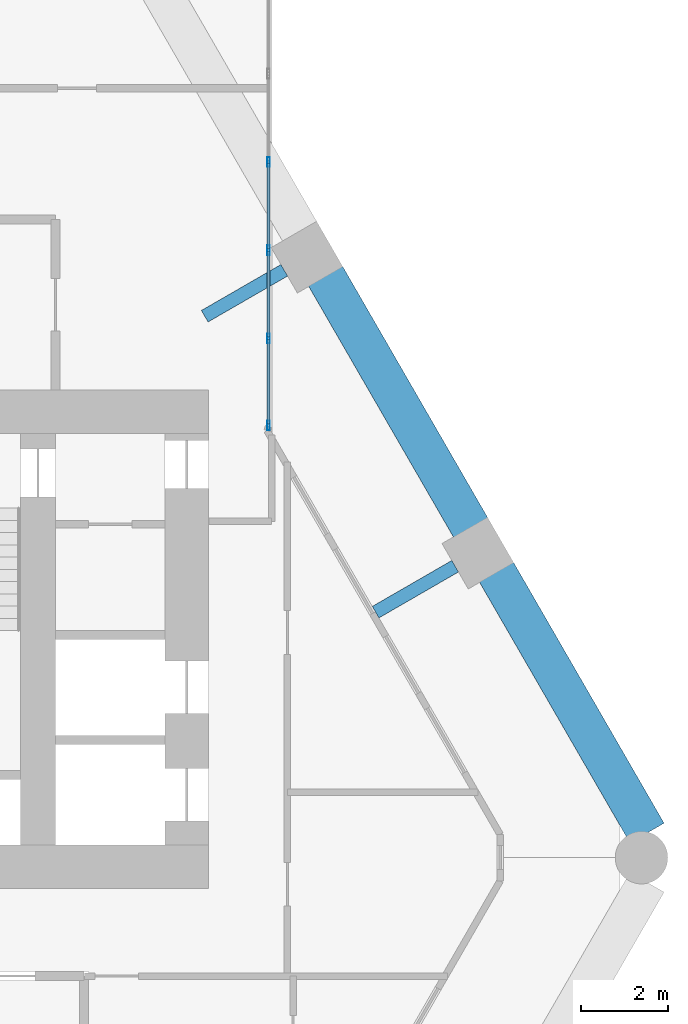
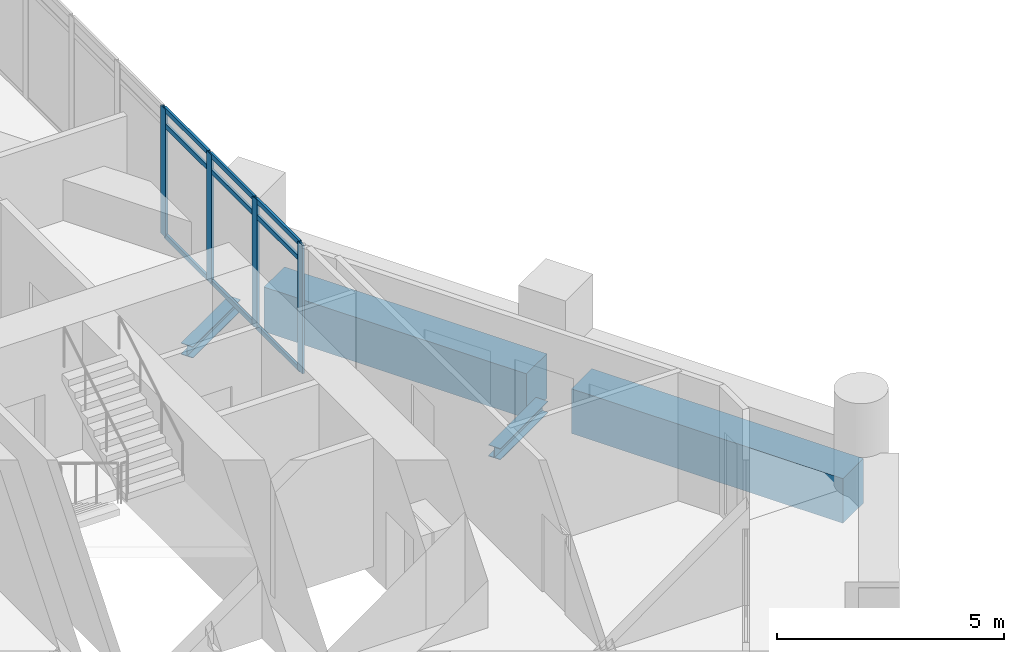
# One storey, part 18 of 28: 13 members, 4 beams, 1 element without a shape of its own.
"""IFC4 building model written with IfcOpenShell, lengths in metres."""

from ifc_helpers import new_model, si_unit, direction, frame, origin, origin_2d, place, context, subcontext, project, spatial, rectangle, hollow_rectangle, i_section, extrude, material, material_profile, profile_set, type_object, element, aggregate, save


model = new_model("IFC4")

# Units and contexts
model_context = context("Model", 3, precision=1e-05, world=origin(), true_north=direction((0.0, 1.0)))
body_context = subcontext(model_context, "Body", "Model", "MODEL_VIEW")
ifc_project = project(units=[si_unit("LENGTHUNIT", "METRE"), si_unit("AREAUNIT", "SQUARE_METRE"), si_unit("VOLUMEUNIT", "CUBIC_METRE"), si_unit("PLANEANGLEUNIT", "RADIAN"), si_unit("MASSUNIT", "GRAM", prefix="KILO")], contexts=[model_context])

# Site, building, storey
site_placement = place(None, origin())
site = spatial("IfcSite", under=ifc_project, at=site_placement, CompositionType="ELEMENT")
building_placement = place(site_placement, origin())
building = spatial("IfcBuilding", under=site, at=building_placement, Name="Ostrander Bayou Hotel Tower", CompositionType="ELEMENT")
storey_placement = place(building_placement, frame((0.0, 0.0, 134.75)))
storey = spatial("IfcBuildingStorey", under=building, at=storey_placement, Name="L33", CompositionType="ELEMENT", Elevation=134.75)

# Curtain wall, members
ifc_material_1 = material(Name="Aluminium and clear glass", Category="aluminium")
curtain_wall_type = type_object("IfcCurtainWallType", Name="CW-BAR glazed wall", PredefinedType="NOTDEFINED", material=ifc_material_1)
curtain_wall_placement = place(storey_placement, origin())
curtain_wall = element("IfcCurtainWall", 1, at=curtain_wall_placement, inside=storey, type_object=curtain_wall_type, Name="CW-BAR L33:SB3N:W", PredefinedType="NOTDEFINED")
ifc_material_2 = material(Name="Aluminium", Category="aluminium")
ifc_material_profile_1 = material_profile(ifc_material_2, hollow_rectangle(XDim=0.06005859375, YDim=0.219970703125, WallThickness=0.00390625, at=origin_2d()))
ifc_profile_set_1 = profile_set([ifc_material_profile_1], Name="Aluminium")
member_type_1 = type_object("IfcMemberType", Name="CW-BR mullion 60 x 220 mm", PredefinedType="MULLION", material=ifc_profile_set_1)
member_1_placement = place(storey_placement, frame((13.3671875, 8.8916015625, 0.0), z_axis=(0.0, 0.0, 1.0), x_axis=(-1.0, 0.0, 0.0)))
member_1 = element("IfcMember", 2, at=member_1_placement, type_object=member_type_1, Name="CW-BAR mullion 1", PredefinedType="MULLION", context=body_context, shape_type="SweptSolid", body=[
    extrude(hollow_rectangle(XDim=0.06005859375, YDim=0.219970703125, WallThickness=0.00390625, at=origin_2d()), origin(), (0.0, 0.0, 1.0), 3.449951171875),
])
member_2_placement = place(storey_placement, frame((13.3671875, 10.879150390625, 0.0), z_axis=(0.0, 0.0, 1.0), x_axis=(-1.0, 0.0, 0.0)))
member_2 = element("IfcMember", 3, at=member_2_placement, type_object=member_type_1, Name="CW-BAR mullion 2", PredefinedType="MULLION", context=body_context, shape_type="SweptSolid", body=[
    extrude(hollow_rectangle(XDim=0.06005859375, YDim=0.219970703125, WallThickness=0.00390625, at=origin_2d()), origin(), (0.0, 0.0, 1.0), 3.449951171875),
])
member_3_placement = place(storey_placement, frame((13.3671875, 12.896728515625, 0.0), z_axis=(0.0, 0.0, 1.0), x_axis=(-1.0, 0.0, 0.0)))
member_3 = element("IfcMember", 4, at=member_3_placement, type_object=member_type_1, Name="CW-BAR mullion 3", PredefinedType="MULLION", context=body_context, shape_type="SweptSolid", body=[
    extrude(hollow_rectangle(XDim=0.06005859375, YDim=0.219970703125, WallThickness=0.00390625, at=origin_2d()), origin(), (0.0, 0.0, 1.0), 3.449951171875),
])
member_4_placement = place(storey_placement, frame((13.3671875, 14.914306640625, 0.0), z_axis=(0.0, 0.0, 1.0), x_axis=(-1.0, 0.0, 0.0)))
member_4 = element("IfcMember", 5, at=member_4_placement, type_object=member_type_1, Name="CW-BAR mullion 4", PredefinedType="MULLION", context=body_context, shape_type="SweptSolid", body=[
    extrude(hollow_rectangle(XDim=0.06005859375, YDim=0.219970703125, WallThickness=0.00390625, at=origin_2d()), origin(), (0.0, 0.0, 1.0), 3.449951171875),
])
ifc_material_3 = material(Name="Aluminium", Category="aluminium")
ifc_material_profile_2 = material_profile(ifc_material_3, hollow_rectangle(XDim=0.06005859375, YDim=0.1298828125, WallThickness=0.00390625, at=origin_2d()))
ifc_profile_set_2 = profile_set([ifc_material_profile_2], Name="Aluminium")
member_type_2 = type_object("IfcMemberType", Name="CW-BR transom 60 x 130 mm", PredefinedType="USERDEFINED", material=ifc_profile_set_2)
member_5_placement = place(storey_placement, frame((13.3671875, 8.921630859375, 0.030029296875), z_axis=(0.0, 1.0, 0.0), x_axis=(-1.0, 0.0, 0.0)))
member_5 = element("IfcMember", 6, at=member_5_placement, type_object=member_type_2, Name="CW-BAR transom 1.1", ObjectType="TRANSOM", PredefinedType="USERDEFINED", context=body_context, shape_type="SweptSolid", body=[
    extrude(hollow_rectangle(XDim=0.06005859375, YDim=0.1298828125, WallThickness=0.00390625, at=origin_2d()), origin(), (0.0, 0.0, 1.0), 1.927490234375),
])
member_6_placement = place(storey_placement, frame((13.3671875, 8.921630859375, 3.0), z_axis=(0.0, 1.0, 0.0), x_axis=(-1.0, 0.0, 0.0)))
member_6 = element("IfcMember", 7, at=member_6_placement, type_object=member_type_2, Name="CW-BAR transom 1.2", ObjectType="TRANSOM", PredefinedType="USERDEFINED", context=body_context, shape_type="SweptSolid", body=[
    extrude(hollow_rectangle(XDim=0.06005859375, YDim=0.1298828125, WallThickness=0.00390625, at=origin_2d()), origin(), (0.0, 0.0, 1.0), 1.927490234375),
])
member_7_placement = place(storey_placement, frame((13.3671875, 8.921630859375, 3.419921875), z_axis=(0.0, 1.0, 0.0), x_axis=(-1.0, 0.0, 0.0)))
member_7 = element("IfcMember", 8, at=member_7_placement, type_object=member_type_2, Name="CW-BAR transom 1.3", ObjectType="TRANSOM", PredefinedType="USERDEFINED", context=body_context, shape_type="SweptSolid", body=[
    extrude(hollow_rectangle(XDim=0.06005859375, YDim=0.1298828125, WallThickness=0.00390625, at=origin_2d()), origin(), (0.0, 0.0, 1.0), 1.927490234375),
])
member_8_placement = place(storey_placement, frame((13.3671875, 10.9091796875, 0.030029296875), z_axis=(0.0, 1.0, 0.0), x_axis=(-1.0, 0.0, 0.0)))
member_8 = element("IfcMember", 9, at=member_8_placement, type_object=member_type_2, Name="CW-BAR transom 2.1", ObjectType="TRANSOM", PredefinedType="USERDEFINED", context=body_context, shape_type="SweptSolid", body=[
    extrude(hollow_rectangle(XDim=0.06005859375, YDim=0.1298828125, WallThickness=0.00390625, at=origin_2d()), origin(), (0.0, 0.0, 1.0), 1.95751953125),
])
member_9_placement = place(storey_placement, frame((13.3671875, 10.9091796875, 3.0), z_axis=(0.0, 1.0, 0.0), x_axis=(-1.0, 0.0, 0.0)))
member_9 = element("IfcMember", 10, at=member_9_placement, type_object=member_type_2, Name="CW-BAR transom 2.2", ObjectType="TRANSOM", PredefinedType="USERDEFINED", context=body_context, shape_type="SweptSolid", body=[
    extrude(hollow_rectangle(XDim=0.06005859375, YDim=0.1298828125, WallThickness=0.00390625, at=origin_2d()), origin(), (0.0, 0.0, 1.0), 1.95751953125),
])
member_10_placement = place(storey_placement, frame((13.3671875, 10.9091796875, 3.419921875), z_axis=(0.0, 1.0, 0.0), x_axis=(-1.0, 0.0, 0.0)))
member_10 = element("IfcMember", 11, at=member_10_placement, type_object=member_type_2, Name="CW-BAR transom 2.3", ObjectType="TRANSOM", PredefinedType="USERDEFINED", context=body_context, shape_type="SweptSolid", body=[
    extrude(hollow_rectangle(XDim=0.06005859375, YDim=0.1298828125, WallThickness=0.00390625, at=origin_2d()), origin(), (0.0, 0.0, 1.0), 1.95751953125),
])
member_11_placement = place(storey_placement, frame((13.3671875, 12.9267578125, 0.030029296875), z_axis=(0.0, 1.0, 0.0), x_axis=(-1.0, 0.0, 0.0)))
member_11 = element("IfcMember", 12, at=member_11_placement, type_object=member_type_2, Name="CW-BAR transom 3.1", ObjectType="TRANSOM", PredefinedType="USERDEFINED", context=body_context, shape_type="SweptSolid", body=[
    extrude(hollow_rectangle(XDim=0.06005859375, YDim=0.1298828125, WallThickness=0.00390625, at=origin_2d()), origin(), (0.0, 0.0, 1.0), 1.95751953125),
])
member_12_placement = place(storey_placement, frame((13.3671875, 12.9267578125, 3.0), z_axis=(0.0, 1.0, 0.0), x_axis=(-1.0, 0.0, 0.0)))
member_12 = element("IfcMember", 13, at=member_12_placement, type_object=member_type_2, Name="CW-BAR transom 3.2", ObjectType="TRANSOM", PredefinedType="USERDEFINED", context=body_context, shape_type="SweptSolid", body=[
    extrude(hollow_rectangle(XDim=0.06005859375, YDim=0.1298828125, WallThickness=0.00390625, at=origin_2d()), origin(), (0.0, 0.0, 1.0), 1.95751953125),
])
member_13_placement = place(storey_placement, frame((13.3671875, 12.9267578125, 3.419921875), z_axis=(0.0, 1.0, 0.0), x_axis=(-1.0, 0.0, 0.0)))
member_13 = element("IfcMember", 14, at=member_13_placement, type_object=member_type_2, Name="CW-BAR transom 3.3", ObjectType="TRANSOM", PredefinedType="USERDEFINED", context=body_context, shape_type="SweptSolid", body=[
    extrude(hollow_rectangle(XDim=0.06005859375, YDim=0.1298828125, WallThickness=0.00390625, at=origin_2d()), origin(), (0.0, 0.0, 1.0), 1.95751953125),
])
aggregate(curtain_wall, [member_1, member_2, member_3, member_4, member_5, member_6, member_7, member_8, member_9, member_10, member_11, member_12, member_13])

# Beams
ifc_material_4 = material(Name="Steel ASTM A992", Category="steel")
ifc_material_profile_3 = material_profile(ifc_material_4, i_section(OverallWidth=0.3046875, OverallDepth=0.307861328125, WebThickness=0.010009765625, FlangeThickness=0.015380859375, at=origin_2d()))
ifc_profile_set_3 = profile_set([ifc_material_profile_3], Name="Steel ASTM A992")
beam_type_1 = type_object("IfcBeamType", Name="LB1 loggia bracket W12x65", PredefinedType="BEAM", material=ifc_profile_set_3)
for number, where, z_axis, x_axis, name in (
    (15, (17.634765625, 5.67041015625, -0.453857421875), (-0.866038466041, -0.499977374825, 0.0), (0.499977374825, -0.866038466041, 0.0), "LB1 L33 NE1"),
    (16, (13.727783203125, 12.43701171875, -0.453857421875), (-0.866009402589, -0.500027713859, 0.0), (0.500027713859, -0.866009402589, 0.0), "LB1 L33 NE2"),
):
    element("IfcBeam", number, at=place(storey_placement, frame(where, z_axis=z_axis, x_axis=x_axis)), inside=storey, type_object=beam_type_1, Name=name, PredefinedType="BEAM", context=body_context, shape_type="SweptSolid", body=[
        extrude(i_section(OverallWidth=0.3046875, OverallDepth=0.307861328125, WebThickness=0.010009765625, FlangeThickness=0.015380859375, at=origin_2d()), origin(), (0.0, 0.0, 1.0), 2.10009765625),
    ])
ifc_material_5 = material(Name="Concrete f'c 70 MPa", Category="concrete")
ifc_material_profile_4 = material_profile(ifc_material_5, rectangle(XDim=0.89990234375, YDim=1.199951171875, at=origin_2d()))
ifc_profile_set_4 = profile_set([ifc_material_profile_4], Name="Concrete f'c 70 MPa")
beam_type_2 = type_object("IfcBeamType", Name="SP2 spandrel beam 900 x 1200 mm f'c 70 MPa", PredefinedType="SPANDREL", material=ifc_profile_set_4)
beam_1_placement = place(storey_placement, frame((22.022216796875, -0.42919921875, -0.60009765625), z_axis=(-0.500017246033, 0.866015446554, 0.0), x_axis=(-0.866015446554, -0.500017246033, 0.0)))
element("IfcBeam", 17, at=beam_1_placement, inside=storey, type_object=beam_type_2, Name="SP2 L33 NE-1", PredefinedType="SPANDREL", context=body_context, shape_type="SweptSolid", body=[
    extrude(rectangle(XDim=0.89990234375, YDim=1.199951171875, at=origin_2d()), origin(), (0.0, 0.0, 1.0), 6.906005859375),
])
beam_2_placement = place(storey_placement, frame((17.999267578125, 6.538818359375, -0.60009765625), z_axis=(-0.50001062018, 0.866019272134, 0.0), x_axis=(-0.866019272134, -0.50001062018, 0.0)))
element("IfcBeam", 18, at=beam_2_placement, inside=storey, type_object=beam_type_2, Name="SP2 L33 NE-2", PredefinedType="SPANDREL", context=body_context, shape_type="SweptSolid", body=[
    extrude(rectangle(XDim=0.89990234375, YDim=1.199951171875, at=origin_2d()), origin(), (0.0, 0.0, 1.0), 6.673583984375),
])

save(model, "model.ifc")
